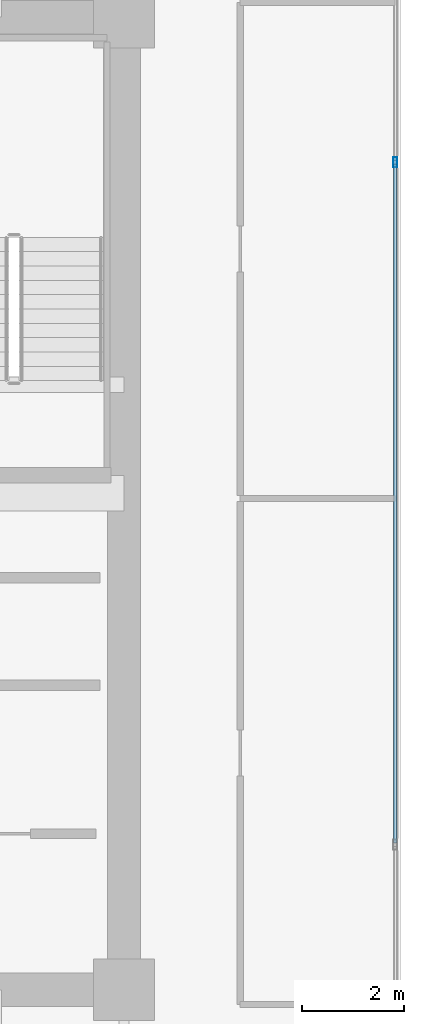
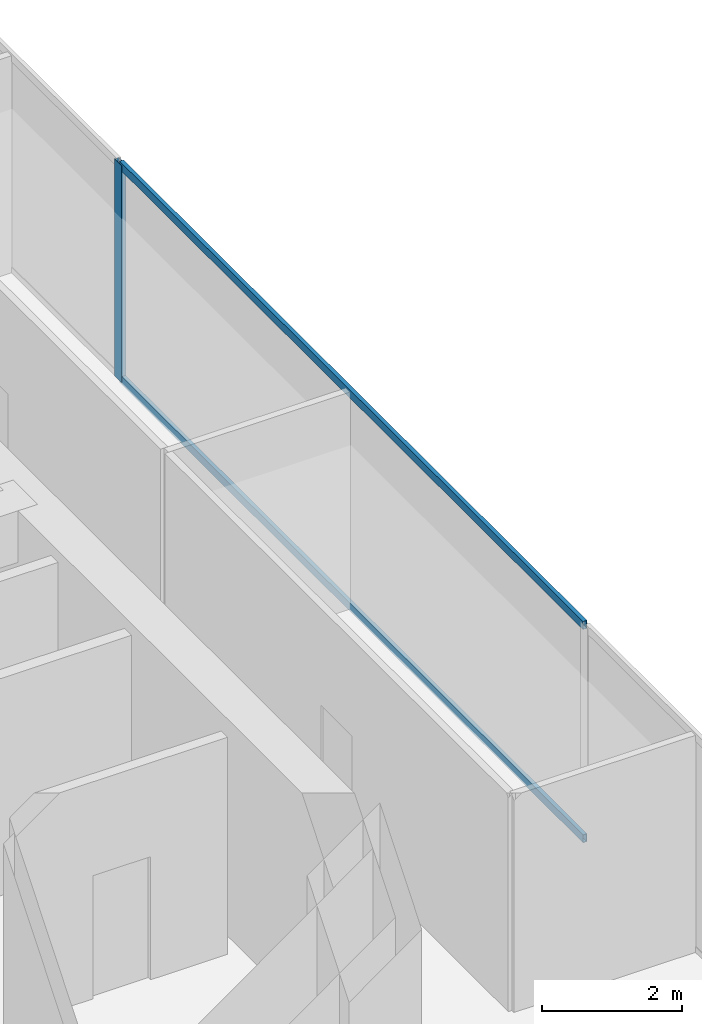
# One storey, part 22 of 34: 3 members, 1 element without a shape of its own.
"""IFC4 building model written with IfcOpenShell, lengths in metres."""

from ifc_helpers import new_model, si_unit, direction, frame, origin, origin_2d, place, context, subcontext, project, spatial, hollow_rectangle, extrude, source, transform, mapped, material, layer, layer_set, material_profile, profile_set, type_object, type_shapes, element, aggregate, save


model = new_model("IFC4")

# Units and contexts
model_context = context("Model", 3, precision=1e-05, world=origin(), true_north=direction((0.0, 1.0)))
body_context = subcontext(model_context, "Body", "Model", "MODEL_VIEW")
ifc_project = project(units=[si_unit("LENGTHUNIT", "METRE"), si_unit("AREAUNIT", "SQUARE_METRE"), si_unit("VOLUMEUNIT", "CUBIC_METRE"), si_unit("PLANEANGLEUNIT", "RADIAN"), si_unit("MASSUNIT", "GRAM", prefix="KILO")], contexts=[model_context])

# Site, building, storey
site_placement = place(None, origin())
site = spatial("IfcSite", under=ifc_project, at=site_placement, CompositionType="ELEMENT")
building_placement = place(site_placement, origin())
building = spatial("IfcBuilding", under=site, at=building_placement, Name="Haelvirn Gate Laboratories", CompositionType="ELEMENT")
storey_placement = place(building_placement, frame((0.0, 0.0, 158.39990234375)))
storey = spatial("IfcBuildingStorey", under=building, at=storey_placement, Name="L38", CompositionType="ELEMENT", Elevation=158.39990234375)

# Curtain wall, members
ifc_material_1 = material(Name="Anodised bronze unitised aluminium & triple low-E glass", Category="aluminium")
ifc_layer = layer(ifc_material_1, 0.179931640625, Name="CW-SYS-3")
ifc_layer_set = layer_set([ifc_layer], Name="Anodised bronze unitised aluminium & triple low-E glass")
curtain_wall_type = type_object("IfcCurtainWallType", Name="CW-SYS-3", PredefinedType="NOTDEFINED", material=ifc_layer_set)
curtain_wall_placement = place(storey_placement, origin())
curtain_wall = element("IfcCurtainWall", 1, at=curtain_wall_placement, inside=storey, type_object=curtain_wall_type, Name="L38 Unitised Curtain Wall CW-L38-P0-E07", PredefinedType="NOTDEFINED")
ifc_material_2 = material(Name="Extruded aluminium 6063-T6 (anodised bronze)", Category="aluminium")
ifc_material_profile_1 = material_profile(ifc_material_2, hollow_rectangle(XDim=0.06494140625, YDim=0.139892578125, WallThickness=0.00390625, at=origin_2d()), Name="CWT-140x65x4")
ifc_profile_set_1 = profile_set([ifc_material_profile_1], Name="Extruded aluminium 6063-T6 (anodised bronze)")
member_type_1 = type_object("IfcMemberType", Name="CWT-T140", PredefinedType="USERDEFINED", material=ifc_profile_set_1)
shared_shape_1 = source(origin(), body_context, "Body", "SweptSolid", [
    extrude(hollow_rectangle(XDim=0.06494140625, YDim=0.139892578125, WallThickness=0.00390625, at=origin_2d()), origin(), (0.0, 0.0, 1.0), 13.25830078125),
])
type_shapes(member_type_1, [shared_shape_1])
member_1_placement = place(storey_placement, frame((72.699951171875, 17.6708984375, 0.03271484375), z_axis=(0.0, 1.0, 0.0), x_axis=(-1.0, 0.0, 0.0)))
member_1 = element("IfcMember", 2, at=member_1_placement, type_object=member_type_1, Name="CW3 transom 2.1", ObjectType="TRANSOM", PredefinedType="USERDEFINED", context=body_context, shape_type="MappedRepresentation", body=[
    mapped(shared_shape_1, transform((0.0, 0.0, 0.0), scale=1.0)),
])
member_2_placement = place(storey_placement, frame((72.699951171875, 17.6708984375, 3.757568359375), z_axis=(0.0, 1.0, 0.0), x_axis=(-1.0, 0.0, 0.0)))
member_2 = element("IfcMember", 3, at=member_2_placement, type_object=member_type_1, Name="CW3 transom 2.2", ObjectType="TRANSOM", PredefinedType="USERDEFINED", context=body_context, shape_type="MappedRepresentation", body=[
    mapped(shared_shape_1, transform((0.0, 0.0, 0.0), scale=1.0)),
])
ifc_material_profile_2 = material_profile(ifc_material_2, hollow_rectangle(XDim=0.074951171875, YDim=0.199951171875, WallThickness=0.0048828125, at=origin_2d()), Name="CWM-200x75x5")
ifc_profile_set_2 = profile_set([ifc_material_profile_2], Name="Extruded aluminium 6063-T6 (anodised bronze)")
member_type_2 = type_object("IfcMemberType", Name="CWM-T200", PredefinedType="MULLION", material=ifc_profile_set_2)
shared_shape_2 = source(origin(), body_context, "Body", "SweptSolid", [
    extrude(hollow_rectangle(XDim=0.074951171875, YDim=0.199951171875, WallThickness=0.0048828125, at=origin_2d()), origin(), (0.0, 0.0, 1.0), 3.7900390625),
])
type_shapes(member_type_2, [shared_shape_2])
member_3_placement = place(storey_placement, frame((72.699951171875, 30.966552734375, 0.0), z_axis=(0.0, 0.0, 1.0), x_axis=(-1.0, 0.0, 0.0)))
member_3 = element("IfcMember", 4, at=member_3_placement, type_object=member_type_2, Name="CW3 mullion 3", PredefinedType="MULLION", context=body_context, shape_type="MappedRepresentation", body=[
    mapped(shared_shape_2, transform((0.0, 0.0, 0.0), scale=1.0)),
])
aggregate(curtain_wall, [member_3, member_1, member_2])

save(model, "model.ifc")
